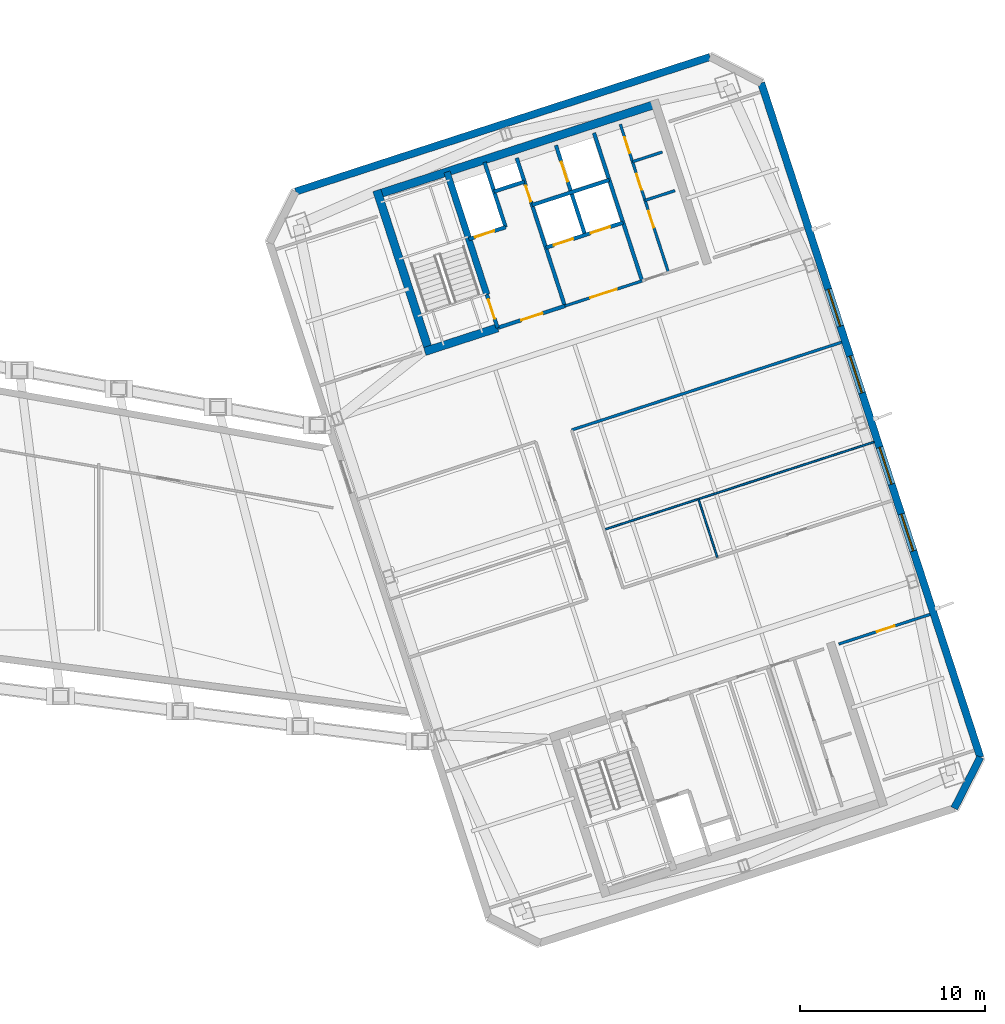
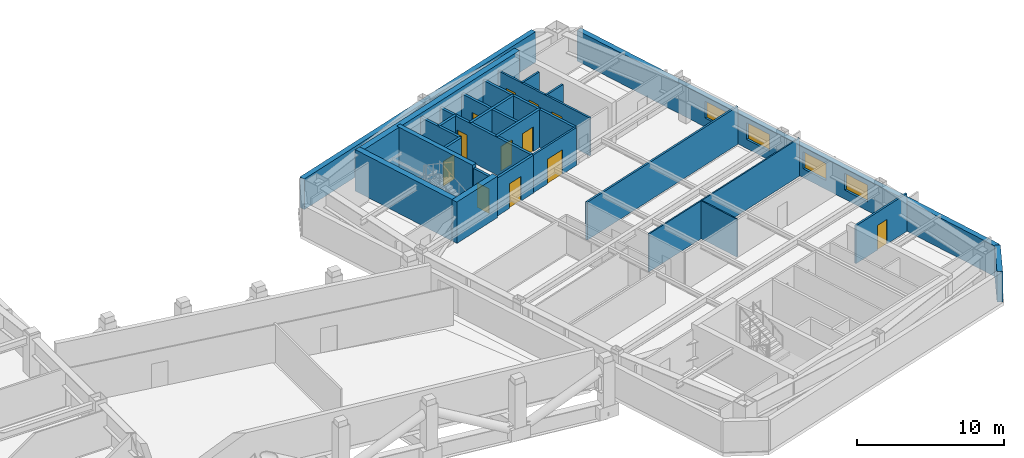
# One storey, part 10 of 19: 25 walls, 12 doors, 4 windows, 16 openings.
"""IFC4 building model written with IfcOpenShell, lengths in metres."""

from ifc_helpers import new_model, si_unit, direction, frame, frame_2d, origin, place, context, subcontext, project, spatial, rectangle, extrude, material, layer, layer_set, type_object, element, fill, save


model = new_model("IFC4")

# Units and contexts
model_context = context("Model", 3, precision=1e-05, world=origin(), true_north=direction((0.0, 1.0)))
body_context = subcontext(model_context, "Body", "Model", "MODEL_VIEW")
ifc_project = project(units=[si_unit("LENGTHUNIT", "METRE"), si_unit("AREAUNIT", "SQUARE_METRE"), si_unit("VOLUMEUNIT", "CUBIC_METRE"), si_unit("PLANEANGLEUNIT", "RADIAN"), si_unit("MASSUNIT", "GRAM", prefix="KILO")], contexts=[model_context])

# Site, building, storey
site_placement = place(None, origin())
site = spatial("IfcSite", under=ifc_project, at=site_placement, CompositionType="ELEMENT")
building_placement = place(site_placement, origin())
building = spatial("IfcBuilding", under=site, at=building_placement, Name="Qiaolan Cultural Towers", CompositionType="ELEMENT")
storey_placement = place(building_placement, frame((0.0, 0.0, 216.199951171875)))
storey = spatial("IfcBuildingStorey", under=building, at=storey_placement, Name="L58", CompositionType="ELEMENT", Elevation=216.199951171875)

# Walls
ifc_material_1 = material(Name="Concrete C50", Category="concrete")
ifc_layer_1 = layer(ifc_material_1, 0.35009765625)
ifc_layer_set_1 = layer_set([ifc_layer_1], Name="Concrete C50")
wall_type_1 = type_object("IfcWallType", Name="WL-CORE-350", PredefinedType="SHEAR", material=ifc_layer_set_1)
wall_1_placement = place(storey_placement, frame((82.513671875, 45.13134765625, 0.0), z_axis=(0.0, 0.0, 1.0), x_axis=(-0.308988790936, 0.951065679686, 0.0)))
element("IfcWall", 1, at=wall_1_placement, inside=storey, type_object=wall_type_1, Name="L58 T2-CN Stair Core Dividing Web", PredefinedType="SHEAR", context=body_context, shape_type="SweptSolid", body=[
    extrude(rectangle(XDim=6.97998046875, YDim=0.35009765625, at=frame_2d((3.489990234375, 0.0))), origin(), (0.0, 0.0, 1.0), 3.449951171875),
])
ifc_material_2 = material(Name="Concrete C50", Category="concrete")
ifc_layer_2 = layer(ifc_material_2, 0.449951171875)
ifc_layer_set_2 = layer_set([ifc_layer_2], Name="Concrete C50")
wall_type_2 = type_object("IfcWallType", Name="WL-CORE-450", PredefinedType="SHEAR", material=ifc_layer_set_2)
wall_2_placement = place(storey_placement, frame((76.414794921875, 50.489013671875, 0.0), z_axis=(0.0, 0.0, 1.0), x_axis=(0.951056810414, 0.309016089169, 0.0)))
element("IfcWall", 2, at=wall_2_placement, inside=storey, type_object=wall_type_2, Name="L58 T2-CN Outer Core Shear Wall", PredefinedType="SHEAR", context=body_context, shape_type="SweptSolid", body=[
    extrude(rectangle(XDim=16.25, YDim=0.449951171875, at=frame_2d((8.125, 0.0))), origin(), (0.0, 0.0, 1.0), 3.449951171875),
])
wall_3_placement = place(storey_placement, frame((79.4423828125, 41.899169921875, 0.0), z_axis=(0.0, 0.0, 1.0), x_axis=(-0.309035778627, 0.951050412717, 0.0)))
element("IfcWall", 3, at=wall_3_placement, inside=storey, type_object=wall_type_2, Name="L58 T2-CN West Core Shear Wall", PredefinedType="SHEAR", context=body_context, shape_type="SweptSolid", body=[
    extrude(rectangle(XDim=9.330078125, YDim=0.449951171875, at=frame_2d((4.6650390625, 0.0))), origin(), (0.0, 0.0, 1.0), 3.449951171875),
])
wall_4_placement = place(storey_placement, frame((79.15869140625, 42.04345703125, 0.0), z_axis=(0.0, 0.0, 1.0), x_axis=(0.951047485828, 0.309044785913, 0.0)))
element("IfcWall", 4, at=wall_4_placement, inside=storey, type_object=wall_type_2, Name="L58 T2-CN Stair Front Shear Wall", PredefinedType="SHEAR", context=body_context, shape_type="SweptSolid", body=[
    extrude(rectangle(XDim=4.14501953125, YDim=0.449951171875, at=frame_2d((2.072509765625, 0.0))), origin(), (0.0, 0.0, 1.0), 3.449951171875),
])
ifc_material_3 = material(Name="Precast Concrete C50 Honed Stone Pier", Category="masonry")
ifc_layer_3 = layer(ifc_material_3, 0.39990234375)
ifc_layer_set_3 = layer_set([ifc_layer_3], Name="Precast Concrete C50 Honed Stone Pier")
wall_type_3 = type_object("IfcWallType", Name="WL-EXT-PIER-400", PredefinedType="SOLIDWALL", material=ifc_layer_set_3)
wall_5_placement = place(storey_placement, frame((72.16455078125, 50.706298828125, 0.0), z_axis=(0.0, 0.0, 1.0), x_axis=(0.951058012937, 0.309012388148, 0.0)))
element("IfcWall", 5, at=wall_5_placement, inside=storey, type_object=wall_type_3, Name="L58 East Tower Precast Pier Facade Wall F3", PredefinedType="SOLIDWALL", context=body_context, shape_type="SweptSolid", body=[
    extrude(rectangle(XDim=23.60009765625, YDim=0.39990234375, at=frame_2d((11.800048828125, 0.0))), origin(), (0.0, 0.0, 1.0), 2.550048828125),
])

# Wall, openings, windows
wall_6_placement = place(storey_placement, frame((97.381591796875, 56.58642578125, 0.0), z_axis=(0.0, 0.0, 1.0), x_axis=(0.309016491071, -0.951056679828, 0.0)))
wall_6 = element("IfcWall", 6, at=wall_6_placement, inside=storey, type_object=wall_type_3, Name="L58 East Tower Precast Pier Facade Wall F5", PredefinedType="SOLIDWALL", context=body_context, shape_type="SweptSolid", body=[
    extrude(rectangle(XDim=38.39990234375, YDim=0.39990234375, at=frame_2d((19.199951171875, 0.0))), origin(), (0.0, 0.0, 1.0), 2.550048828125),
])
opening_1_placement = place(wall_6_placement, frame((24.550048828125, 0.0, 0.75)))
opening_1 = element("IfcOpeningElement", 7, at=opening_1_placement, cuts=wall_6, Name="Opening W-05", PredefinedType="OPENING", context=body_context, shape_type="SweptSolid", body=[
    extrude(rectangle(XDim=2.10009765625, YDim=1.39990234375, at=frame_2d((1.050048828125, 0.699951171875))), frame((0.0, 0.2099609375, 0.0), z_axis=(0.0, -1.0, 0.0), x_axis=(1.0, 0.0, 0.0)), (0.0, 0.0, 1.0), 0.419921875),
])
opening_2_placement = place(wall_6_placement, frame((20.75, 0.0, 0.75)))
opening_2 = element("IfcOpeningElement", 8, at=opening_2_placement, cuts=wall_6, Name="Opening W-05", PredefinedType="OPENING", context=body_context, shape_type="SweptSolid", body=[
    extrude(rectangle(XDim=2.10009765625, YDim=1.39990234375, at=frame_2d((1.050048828125, 0.699951171875))), frame((0.0, 0.2099609375, 0.0), z_axis=(0.0, -1.0, 0.0), x_axis=(1.0, 0.0, 0.0)), (0.0, 0.0, 1.0), 0.419921875),
])
opening_3_placement = place(wall_6_placement, frame((15.550048828125, 0.0, 0.75)))
opening_3 = element("IfcOpeningElement", 9, at=opening_3_placement, cuts=wall_6, Name="Opening W-05", PredefinedType="OPENING", context=body_context, shape_type="SweptSolid", body=[
    extrude(rectangle(XDim=2.10009765625, YDim=1.39990234375, at=frame_2d((1.050048828125, 0.699951171875))), frame((0.0, 0.2099609375, 0.0), z_axis=(0.0, -1.0, 0.0), x_axis=(1.0, 0.0, 0.0)), (0.0, 0.0, 1.0), 0.419921875),
])
opening_4_placement = place(wall_6_placement, frame((11.75, 0.0, 0.75)))
opening_4 = element("IfcOpeningElement", 10, at=opening_4_placement, cuts=wall_6, Name="Opening W-05", PredefinedType="OPENING", context=body_context, shape_type="SweptSolid", body=[
    extrude(rectangle(XDim=2.10009765625, YDim=1.39990234375, at=frame_2d((1.050048828125, 0.699951171875))), frame((0.0, 0.2099609375, 0.0), z_axis=(0.0, -1.0, 0.0), x_axis=(1.0, 0.0, 0.0)), (0.0, 0.0, 1.0), 0.419921875),
])
ifc_material_4 = material(Name="Thermally Broken Aluminium Triple Low-E Glazing", Category="aluminium")
window_type = type_object("IfcWindowType", Name="WN-CHIC-2100", PartitioningType="SINGLE_PANEL", PredefinedType="WINDOW", material=ifc_material_4)
window_1_placement = place(opening_1_placement, origin())
window_1 = element("IfcWindow", 11, at=window_1_placement, inside=storey, type_object=window_type, Name="L58 T2 E Chicago Bay Window 1", OverallHeight=1.39990234375, OverallWidth=2.10009765625, PartitioningType="TRIPLE_PANEL_VERTICAL", PredefinedType="WINDOW", context=body_context, shape_type="SweptSolid", body=[
    extrude(rectangle(XDim=2.10009765625, YDim=1.39990234375, at=frame_2d((1.050048828125, 0.699951171875))), frame((0.0, 0.030029296875, 0.0), z_axis=(0.0, -1.0, 0.0), x_axis=(1.0, 0.0, 0.0)), (0.0, 0.0, 1.0), 0.06005859375),
])
fill(opening_1, window_1)
window_2_placement = place(opening_2_placement, origin())
window_2 = element("IfcWindow", 12, at=window_2_placement, inside=storey, type_object=window_type, Name="L58 T2 E Chicago Bay Window 2", OverallHeight=1.39990234375, OverallWidth=2.10009765625, PartitioningType="TRIPLE_PANEL_VERTICAL", PredefinedType="WINDOW", context=body_context, shape_type="SweptSolid", body=[
    extrude(rectangle(XDim=2.10009765625, YDim=1.39990234375, at=frame_2d((1.050048828125, 0.699951171875))), frame((0.0, 0.030029296875, 0.0), z_axis=(0.0, -1.0, 0.0), x_axis=(1.0, 0.0, 0.0)), (0.0, 0.0, 1.0), 0.06005859375),
])
fill(opening_2, window_2)
window_3_placement = place(opening_3_placement, origin())
window_3 = element("IfcWindow", 13, at=window_3_placement, inside=storey, type_object=window_type, Name="L58 T2 E Chicago Bay Window 3", OverallHeight=1.39990234375, OverallWidth=2.10009765625, PartitioningType="TRIPLE_PANEL_VERTICAL", PredefinedType="WINDOW", context=body_context, shape_type="SweptSolid", body=[
    extrude(rectangle(XDim=2.10009765625, YDim=1.39990234375, at=frame_2d((1.050048828125, 0.699951171875))), frame((0.0, 0.030029296875, 0.0), z_axis=(0.0, -1.0, 0.0), x_axis=(1.0, 0.0, 0.0)), (0.0, 0.0, 1.0), 0.06005859375),
])
fill(opening_3, window_3)
window_4_placement = place(opening_4_placement, origin())
window_4 = element("IfcWindow", 14, at=window_4_placement, inside=storey, type_object=window_type, Name="L58 T2 E Chicago Bay Window 4", OverallHeight=1.39990234375, OverallWidth=2.10009765625, PartitioningType="TRIPLE_PANEL_VERTICAL", PredefinedType="WINDOW", context=body_context, shape_type="SweptSolid", body=[
    extrude(rectangle(XDim=2.10009765625, YDim=1.39990234375, at=frame_2d((1.050048828125, 0.699951171875))), frame((0.0, 0.030029296875, 0.0), z_axis=(0.0, -1.0, 0.0), x_axis=(1.0, 0.0, 0.0)), (0.0, 0.0, 1.0), 0.06005859375),
])
fill(opening_4, window_4)

# Wall
wall_7_placement = place(storey_placement, frame((109.247802734375, 20.06591796875, 0.0), z_axis=(0.0, 0.0, 1.0), x_axis=(-0.453949291228, -0.891027519774, 0.0)))
element("IfcWall", 15, at=wall_7_placement, inside=storey, type_object=wall_type_3, Name="L58 East Tower Precast Pier Facade Wall F6", PredefinedType="SOLIDWALL", context=body_context, shape_type="SweptSolid", body=[
    extrude(rectangle(XDim=3.111328125, YDim=0.39990234375, at=frame_2d((1.5556640625, 0.0))), origin(), (0.0, 0.0, 1.0), 2.550048828125),
])

# Wall, opening, door
ifc_material_5 = material(Name="Concrete C35 Fire Wall", Category="concrete")
ifc_layer_4 = layer(ifc_material_5, 0.199951171875)
ifc_layer_set_4 = layer_set([ifc_layer_4], Name="Concrete C35 Fire Wall")
wall_type_4 = type_object("IfcWallType", Name="WL-FIRE-200", PredefinedType="PARTITIONING", material=ifc_layer_set_4)
wall_8_placement = place(storey_placement, frame((83.100830078125, 43.324462890625, 0.0), z_axis=(0.0, 0.0, 1.0), x_axis=(-0.309048298632, 0.951046344356, 0.0)))
wall_8 = element("IfcWall", 16, at=wall_8_placement, inside=storey, type_object=wall_type_4, Name="L58 T2-CN Smokeproof Stair Entry Wall", PredefinedType="PARTITIONING", context=body_context, shape_type="SweptSolid", body=[
    extrude(rectangle(XDim=1.89990234375, YDim=0.199951171875, at=frame_2d((0.949951171875, 0.0))), origin(), (0.0, 0.0, 1.0), 3.155029296875),
])
opening_5_placement = place(wall_8_placement, frame((0.52001953125, 0.0, 0.0)))
opening_5 = element("IfcOpeningElement", 17, at=opening_5_placement, cuts=wall_8, Name="Opening FD-04", PredefinedType="OPENING", context=body_context, shape_type="SweptSolid", body=[
    extrude(rectangle(XDim=1.10009765625, YDim=2.050048828125, at=frame_2d((0.550048828125, 1.02490234375))), frame((0.0, 0.10986328125, 0.0), z_axis=(0.0, -1.0, 0.0), x_axis=(1.0, 0.0, 0.0)), (0.0, 0.0, 1.0), 0.219970703125),
])
ifc_material_6 = material(Name="Galvanized Steel Command Fire Door", Category="steel")
door_type_1 = type_object("IfcDoorType", Name="DR-FD90-1100", OperationType="NOTDEFINED", PredefinedType="DOOR", material=ifc_material_6)
door_1_placement = place(opening_5_placement, origin())
door_1 = element("IfcDoor", 18, at=door_1_placement, inside=storey, type_object=door_type_1, Name="L58 ST-E2 Smokeproof Stair Fire Door", OperationType="SINGLE_SWING_LEFT", OverallHeight=2.050048828125, OverallWidth=1.10009765625, PredefinedType="DOOR", context=body_context, shape_type="SweptSolid", body=[
    extrude(rectangle(XDim=1.10009765625, YDim=2.050048828125, at=frame_2d((0.550048828125, 1.02490234375))), frame((0.0, 0.02490234375, 0.0), z_axis=(0.0, -1.0, 0.0), x_axis=(1.0, 0.0, 0.0)), (0.0, 0.0, 1.0), 0.050048828125),
])
fill(opening_5, door_1)

wall_9_placement = place(storey_placement, frame((86.743408203125, 44.508056640625, 0.0), z_axis=(0.0, 0.0, 1.0), x_axis=(-0.309016001439, 0.951056838919, 0.0)))
wall_9 = element("IfcWall", 19, at=wall_9_placement, inside=storey, type_object=wall_type_4, Name="L58 T2-CN Firefighting Zone Wall", PredefinedType="PARTITIONING", context=body_context, shape_type="SweptSolid", body=[
    extrude(rectangle(XDim=8.429931640625, YDim=0.199951171875, at=frame_2d((4.21484375, 0.0))), origin(), (0.0, 0.0, 1.0), 3.155029296875),
])
opening_6_placement = place(wall_9_placement, frame((5.949951171875, 0.0, 0.0)))
opening_6 = element("IfcOpeningElement", 20, at=opening_6_placement, cuts=wall_9, Name="Opening ID-06", PredefinedType="OPENING", context=body_context, shape_type="SweptSolid", body=[
    extrude(rectangle(XDim=0.89990234375, YDim=2.050048828125, at=frame_2d((0.449951171875, 1.02490234375))), frame((0.0, 0.10986328125, 0.0), z_axis=(0.0, -1.0, 0.0), x_axis=(1.0, 0.0, 0.0)), (0.0, 0.0, 1.0), 0.219970703125),
])
ifc_material_7 = material(Name="Fire-Rated Laminate Core Service Door", Category="timber")
door_type_2 = type_object("IfcDoorType", Name="DR-INT-900", OperationType="NOTDEFINED", PredefinedType="DOOR", material=ifc_material_7)
door_2_placement = place(opening_6_placement, origin())
door_2 = element("IfcDoor", 21, at=door_2_placement, inside=storey, type_object=door_type_2, Name="L58 Sky Shuttle Transfer Lobby Door", OperationType="SINGLE_SWING_LEFT", OverallHeight=2.050048828125, OverallWidth=0.89990234375, PredefinedType="DOOR", context=body_context, shape_type="SweptSolid", body=[
    extrude(rectangle(XDim=0.89990234375, YDim=2.050048828125, at=frame_2d((0.449951171875, 1.02490234375))), frame((0.0, 0.02490234375, 0.0), z_axis=(0.0, -1.0, 0.0), x_axis=(1.0, 0.0, 0.0)), (0.0, 0.0, 1.0), 0.050048828125),
])
fill(opening_6, door_2)

wall_10_placement = place(storey_placement, frame((83.100830078125, 43.324462890625, 0.0), z_axis=(0.0, 0.0, 1.0), x_axis=(0.951052804469, 0.309028417967, 0.0)))
wall_10 = element("IfcWall", 22, at=wall_10_placement, inside=storey, type_object=wall_type_4, Name="L58 T2-CN Firefighting Lobby Front Wall", PredefinedType="PARTITIONING", context=body_context, shape_type="SweptSolid", body=[
    extrude(rectangle(XDim=3.830078125, YDim=0.199951171875, at=frame_2d((1.9150390625, 0.0))), origin(), (0.0, 0.0, 1.0), 3.155029296875),
])
opening_7_placement = place(wall_10_placement, frame((1.35009765625, 0.0, 0.0)))
opening_7 = element("IfcOpeningElement", 23, at=opening_7_placement, cuts=wall_10, Name="Opening FD-03", PredefinedType="OPENING", context=body_context, shape_type="SweptSolid", body=[
    extrude(rectangle(XDim=1.199951171875, YDim=2.050048828125, at=frame_2d((0.60009765625, 1.02490234375))), frame((0.0, 0.10986328125, 0.0), z_axis=(0.0, -1.0, 0.0), x_axis=(1.0, 0.0, 0.0)), (0.0, 0.0, 1.0), 0.219970703125),
])
ifc_material_8 = material(Name="Galvanized Steel Smokeproof Lobby Fire Door", Category="steel")
door_type_3 = type_object("IfcDoorType", Name="DR-FD90-1200", OperationType="NOTDEFINED", PredefinedType="DOOR", material=ifc_material_8)
door_3_placement = place(opening_7_placement, origin())
door_3 = element("IfcDoor", 24, at=door_3_placement, inside=storey, type_object=door_type_3, Name="L58 FFL-E2 Firefighting Lobby Fire Door", OperationType="SINGLE_SWING_LEFT", OverallHeight=2.050048828125, OverallWidth=1.199951171875, PredefinedType="DOOR", context=body_context, shape_type="SweptSolid", body=[
    extrude(rectangle(XDim=1.199951171875, YDim=2.050048828125, at=frame_2d((0.60009765625, 1.02490234375))), frame((0.0, 0.02490234375, 0.0), z_axis=(0.0, -1.0, 0.0), x_axis=(1.0, 0.0, 0.0)), (0.0, 0.0, 1.0), 0.050048828125),
])
fill(opening_7, door_3)

wall_11_placement = place(storey_placement, frame((81.540283203125, 48.127197265625, 0.0), z_axis=(0.0, 0.0, 1.0), x_axis=(0.951062257173, 0.308999325213, 0.0)))
wall_11 = element("IfcWall", 25, at=wall_11_placement, inside=storey, type_object=wall_type_4, Name="L58 T2-CN Firefighting Shaft Front Wall", PredefinedType="PARTITIONING", context=body_context, shape_type="SweptSolid", body=[
    extrude(rectangle(XDim=2.10009765625, YDim=0.199951171875, at=frame_2d((1.050048828125, 0.0))), origin(), (0.0, 0.0, 1.0), 3.155029296875),
])
opening_8_placement = place(wall_11_placement, frame((0.35009765625, 0.0, 0.0)))
opening_8 = element("IfcOpeningElement", 26, at=opening_8_placement, cuts=wall_11, Name="Opening LD-01", PredefinedType="OPENING", context=body_context, shape_type="SweptSolid", body=[
    extrude(rectangle(XDim=1.10009765625, YDim=2.050048828125, at=frame_2d((0.550048828125, 1.02490234375))), frame((0.0, 0.10986328125, 0.0), z_axis=(0.0, -1.0, 0.0), x_axis=(1.0, 0.0, 0.0)), (0.0, 0.0, 1.0), 0.219970703125),
])
ifc_material_9 = material(Name="Brushed Stainless Steel S30408 Centre-Parting Lift Landing Door", Category="steel")
door_type_4 = type_object("IfcDoorType", Name="DR-LIFT-1100", OperationType="NOTDEFINED", PredefinedType="DOOR", material=ifc_material_9)
door_4_placement = place(opening_8_placement, origin())
door_4 = element("IfcDoor", 27, at=door_4_placement, inside=storey, type_object=door_type_4, Name="L58 FFL-E2 Firefighting Lift Landing Door", OperationType="DOUBLE_DOOR_SLIDING", OverallHeight=2.050048828125, OverallWidth=1.10009765625, PredefinedType="DOOR", context=body_context, shape_type="SweptSolid", body=[
    extrude(rectangle(XDim=1.10009765625, YDim=2.050048828125, at=frame_2d((0.550048828125, 1.02490234375))), frame((0.0, 0.02490234375, 0.0), z_axis=(0.0, -1.0, 0.0), x_axis=(1.0, 0.0, 0.0)), (0.0, 0.0, 1.0), 0.050048828125),
])
fill(opening_8, door_4)

# Walls
wall_12_placement = place(storey_placement, frame((83.53759765625, 48.776123046875, 0.0), z_axis=(0.0, 0.0, 1.0), x_axis=(-0.3089935693, 0.951064127245, 0.0)))
element("IfcWall", 28, at=wall_12_placement, inside=storey, type_object=wall_type_4, Name="L58 T2-CN Firefighting Hoistway East Wall", PredefinedType="PARTITIONING", context=body_context, shape_type="SweptSolid", body=[
    extrude(rectangle(XDim=3.7001953125, YDim=0.199951171875, at=frame_2d((1.85009765625, 0.0))), origin(), (0.0, 0.0, 1.0), 3.155029296875),
])
wall_13_placement = place(storey_placement, frame((82.910400390625, 50.706787109375, 0.0), z_axis=(0.0, 0.0, 1.0), x_axis=(0.951041328149, 0.309063734775, 0.0)))
element("IfcWall", 29, at=wall_13_placement, inside=storey, type_object=wall_type_4, Name="L58 T2-CN Pressurization Shaft Front Wall", PredefinedType="PARTITIONING", context=body_context, shape_type="SweptSolid", body=[
    extrude(rectangle(XDim=1.72998046875, YDim=0.199951171875, at=frame_2d((0.864990234375, 0.0))), origin(), (0.0, 0.0, 1.0), 3.155029296875),
])
wall_14_placement = place(storey_placement, frame((90.92822265625, 45.86767578125, 0.0), z_axis=(0.0, 0.0, 1.0), x_axis=(-0.309042196757, 0.951048327176, 0.0)))
element("IfcWall", 30, at=wall_14_placement, inside=storey, type_object=wall_type_4, Name="L58 T2-CN Lift Core East Wall", PredefinedType="PARTITIONING", context=body_context, shape_type="SweptSolid", body=[
    extrude(rectangle(XDim=8.429931640625, YDim=0.199951171875, at=frame_2d((4.21484375, 0.0))), origin(), (0.0, 0.0, 1.0), 3.155029296875),
])

# Wall, openings, doors
wall_15_placement = place(storey_placement, frame((85.717529296875, 47.66552734375, 0.0), z_axis=(0.0, 0.0, 1.0), x_axis=(0.951058531764, 0.30901079133, 0.0)))
wall_15 = element("IfcWall", 31, at=wall_15_placement, inside=storey, type_object=wall_type_4, Name="L58 T2-CN Passenger Lift Shaft Front Wall", PredefinedType="PARTITIONING", context=body_context, shape_type="SweptSolid", body=[
    extrude(rectangle(XDim=4.39990234375, YDim=0.199951171875, at=frame_2d((2.199951171875, 0.0))), origin(), (0.0, 0.0, 1.0), 3.155029296875),
])
opening_9_placement = place(wall_15_placement, frame((0.449951171875, 0.0, 0.0)))
opening_9 = element("IfcOpeningElement", 32, at=opening_9_placement, cuts=wall_15, Name="Opening LD-01", PredefinedType="OPENING", context=body_context, shape_type="SweptSolid", body=[
    extrude(rectangle(XDim=1.10009765625, YDim=2.050048828125, at=frame_2d((0.550048828125, 1.02490234375))), frame((0.0, 0.10986328125, 0.0), z_axis=(0.0, -1.0, 0.0), x_axis=(1.0, 0.0, 0.0)), (0.0, 0.0, 1.0), 0.219970703125),
])
opening_10_placement = place(wall_15_placement, frame((2.550048828125, 0.0, 0.0)))
opening_10 = element("IfcOpeningElement", 33, at=opening_10_placement, cuts=wall_15, Name="Opening LD-01", PredefinedType="OPENING", context=body_context, shape_type="SweptSolid", body=[
    extrude(rectangle(XDim=1.10009765625, YDim=2.050048828125, at=frame_2d((0.550048828125, 1.02490234375))), frame((0.0, 0.10986328125, 0.0), z_axis=(0.0, -1.0, 0.0), x_axis=(1.0, 0.0, 0.0)), (0.0, 0.0, 1.0), 0.219970703125),
])
door_5_placement = place(opening_9_placement, origin())
door_5 = element("IfcDoor", 34, at=door_5_placement, inside=storey, type_object=door_type_4, Name="L58 Passenger Lift 1 Landing Door", OperationType="DOUBLE_DOOR_SLIDING", OverallHeight=2.050048828125, OverallWidth=1.10009765625, PredefinedType="DOOR", context=body_context, shape_type="SweptSolid", body=[
    extrude(rectangle(XDim=1.10009765625, YDim=2.050048828125, at=frame_2d((0.550048828125, 1.02490234375))), frame((0.0, 0.02490234375, 0.0), z_axis=(0.0, -1.0, 0.0), x_axis=(1.0, 0.0, 0.0)), (0.0, 0.0, 1.0), 0.050048828125),
])
fill(opening_9, door_5)
door_6_placement = place(opening_10_placement, origin())
door_6 = element("IfcDoor", 35, at=door_6_placement, inside=storey, type_object=door_type_4, Name="L58 Passenger Lift 2 Landing Door", OperationType="DOUBLE_DOOR_SLIDING", OverallHeight=2.050048828125, OverallWidth=1.10009765625, PredefinedType="DOOR", context=body_context, shape_type="SweptSolid", body=[
    extrude(rectangle(XDim=1.10009765625, YDim=2.050048828125, at=frame_2d((0.550048828125, 1.02490234375))), frame((0.0, 0.02490234375, 0.0), z_axis=(0.0, -1.0, 0.0), x_axis=(1.0, 0.0, 0.0)), (0.0, 0.0, 1.0), 0.050048828125),
])
fill(opening_10, door_6)

# Wall, opening, door
wall_16_placement = place(storey_placement, frame((87.83837890625, 48.3544921875, 0.0), z_axis=(0.0, 0.0, 1.0), x_axis=(-0.3090093719, 0.951058992953, 0.0)))
wall_16 = element("IfcWall", 36, at=wall_16_placement, inside=storey, type_object=wall_type_4, Name="L58 T2-CN Lift Shaft Divider Wall", PredefinedType="PARTITIONING", context=body_context, shape_type="SweptSolid", body=[
    extrude(rectangle(XDim=5.110107421875, YDim=0.199951171875, at=frame_2d((2.55517578125, 0.0))), origin(), (0.0, 0.0, 1.0), 3.155029296875),
])
opening_11_placement = place(wall_16_placement, frame((3.050048828125, 0.0, 0.0)))
opening_11 = element("IfcOpeningElement", 37, at=opening_11_placement, cuts=wall_16, Name="Opening LD-01", PredefinedType="OPENING", context=body_context, shape_type="SweptSolid", body=[
    extrude(rectangle(XDim=1.10009765625, YDim=2.050048828125, at=frame_2d((0.550048828125, 1.02490234375))), frame((0.0, 0.10986328125, 0.0), z_axis=(0.0, -1.0, 0.0), x_axis=(1.0, 0.0, 0.0)), (0.0, 0.0, 1.0), 0.219970703125),
])
door_7_placement = place(opening_11_placement, origin())
door_7 = element("IfcDoor", 38, at=door_7_placement, inside=storey, type_object=door_type_4, Name="L58 Sky Shuttle Lift Transfer Landing Door", OperationType="DOUBLE_DOOR_SLIDING", OverallHeight=2.050048828125, OverallWidth=1.10009765625, PredefinedType="DOOR", context=body_context, shape_type="SweptSolid", body=[
    extrude(rectangle(XDim=1.10009765625, YDim=2.050048828125, at=frame_2d((0.550048828125, 1.02490234375))), frame((0.0, 0.02490234375, 0.0), z_axis=(0.0, -1.0, 0.0), x_axis=(1.0, 0.0, 0.0)), (0.0, 0.0, 1.0), 0.050048828125),
])
fill(opening_11, door_7)

# Walls
wall_17_placement = place(storey_placement, frame((84.966552734375, 49.9765625, 0.0), z_axis=(0.0, 0.0, 1.0), x_axis=(0.951063829732, 0.308994485023, 0.0)))
element("IfcWall", 39, at=wall_17_placement, inside=storey, type_object=wall_type_4, Name="L58 T2-CN Passenger Lift Shaft Back Wall", PredefinedType="PARTITIONING", context=body_context, shape_type="SweptSolid", body=[
    extrude(rectangle(XDim=4.400146484375, YDim=0.199951171875, at=frame_2d((2.2001953125, 0.0))), origin(), (0.0, 0.0, 1.0), 3.155029296875),
])
ifc_material_10 = material(Name="Acoustic Double-Glazed Partition Frame", Category="glass")
ifc_layer_5 = layer(ifc_material_10, 0.10009765625)
ifc_layer_set_5 = layer_set([ifc_layer_5], Name="Acoustic Double-Glazed Partition Frame")
wall_type_5 = type_object("IfcWallType", Name="WL-GLAZED-100", PredefinedType="MOVABLE", material=ifc_layer_set_5)
wall_18_placement = place(storey_placement, frame((95.004638671875, 30.89453125, 0.0), z_axis=(0.0, 0.0, 1.0), x_axis=(-0.30900459381, 0.951060545394, 0.0)))
element("IfcWall", 40, at=wall_18_placement, inside=storey, type_object=wall_type_5, Name="L58 T2 Interior Wall", PredefinedType="MOVABLE", context=body_context, shape_type="SweptSolid", body=[
    extrude(rectangle(XDim=3.320068359375, YDim=0.10009765625, at=frame_2d((1.66015625, 0.0))), origin(), (0.0, 0.0, 1.0), 3.155029296875),
])
wall_19_placement = place(storey_placement, frame((88.86669921875, 32.39111328125, 0.0), z_axis=(0.0, 0.0, 1.0), x_axis=(0.951059970956, 0.309006361819, 0.0)))
element("IfcWall", 41, at=wall_19_placement, inside=storey, type_object=wall_type_5, Name="L58 T2 Interior Wall", PredefinedType="MOVABLE", context=body_context, shape_type="SweptSolid", body=[
    extrude(rectangle(XDim=15.375, YDim=0.10009765625, at=frame_2d((7.6875, 0.0))), origin(), (0.0, 0.0, 1.0), 3.155029296875),
])

# Wall, opening, door
ifc_material_11 = material(Name="Autoclaved Aerated Concrete Block B06", Category="concrete")
ifc_layer_6 = layer(ifc_material_11, 0.14990234375)
ifc_layer_set_6 = layer_set([ifc_layer_6], Name="Autoclaved Aerated Concrete Block B06")
wall_type_6 = type_object("IfcWallType", Name="WL-PART-150", PredefinedType="PARTITIONING", material=ifc_layer_set_6)
wall_20_placement = place(storey_placement, frame((86.743408203125, 44.508056640625, 0.0), z_axis=(0.0, 0.0, 1.0), x_axis=(0.951063829732, 0.308994485023, 0.0)))
wall_20 = element("IfcWall", 42, at=wall_20_placement, inside=storey, type_object=wall_type_6, Name="L58 T2-CN Passenger Lift Lobby Front Wall", PredefinedType="PARTITIONING", context=body_context, shape_type="SweptSolid", body=[
    extrude(rectangle(XDim=4.400146484375, YDim=0.14990234375, at=frame_2d((2.2001953125, 0.0))), origin(), (0.0, 0.0, 1.0), 3.155029296875),
])
opening_12_placement = place(wall_20_placement, frame((1.449951171875, 0.0, 0.0)))
opening_12 = element("IfcOpeningElement", 43, at=opening_12_placement, cuts=wall_20, Name="Opening FD-05", PredefinedType="OPENING", context=body_context, shape_type="SweptSolid", body=[
    extrude(rectangle(XDim=1.5, YDim=2.050048828125, at=frame_2d((0.75, 1.02490234375))), frame((0.0, 0.0849609375, 0.0), z_axis=(0.0, -1.0, 0.0), x_axis=(1.0, 0.0, 0.0)), (0.0, 0.0, 1.0), 0.169921875),
])
ifc_material_12 = material(Name="Painted Steel Lift Lobby Fire Door", Category="steel")
door_type_5 = type_object("IfcDoorType", Name="DR-FD60-1500", OperationType="NOTDEFINED", PredefinedType="DOOR", material=ifc_material_12)
door_8_placement = place(opening_12_placement, origin())
door_8 = element("IfcDoor", 44, at=door_8_placement, inside=storey, type_object=door_type_5, Name="L58 Passenger Lift Lobby Entrance", OperationType="SINGLE_SWING_LEFT", OverallHeight=2.050048828125, OverallWidth=1.5, PredefinedType="DOOR", context=body_context, shape_type="SweptSolid", body=[
    extrude(rectangle(XDim=1.5, YDim=2.050048828125, at=frame_2d((0.75, 1.02490234375))), frame((0.0, 0.02490234375, 0.0), z_axis=(0.0, -1.0, 0.0), x_axis=(1.0, 0.0, 0.0)), (0.0, 0.0, 1.0), 0.050048828125),
])
fill(opening_12, door_8)

# Wall, openings, doors
wall_21_placement = place(storey_placement, frame((92.354736328125, 46.3310546875, 0.0), z_axis=(0.0, 0.0, 1.0), x_axis=(-0.309007490203, 0.951059604335, 0.0)))
wall_21 = element("IfcWall", 45, at=wall_21_placement, inside=storey, type_object=wall_type_6, Name="L58 T2-CN Sanitary Vestibule Wall", PredefinedType="PARTITIONING", context=body_context, shape_type="SweptSolid", body=[
    extrude(rectangle(XDim=8.43017578125, YDim=0.14990234375, at=frame_2d((4.215087890625, 0.0))), origin(), (0.0, 0.0, 1.0), 3.155029296875),
])
opening_13_placement = place(wall_21_placement, frame((2.550048828125, 0.0, 0.0)))
opening_13 = element("IfcOpeningElement", 46, at=opening_13_placement, cuts=wall_21, Name="Opening ID-05", PredefinedType="OPENING", context=body_context, shape_type="SweptSolid", body=[
    extrude(rectangle(XDim=0.949951171875, YDim=2.050048828125, at=frame_2d((0.47509765625, 1.02490234375))), frame((0.0, 0.0849609375, 0.0), z_axis=(0.0, -1.0, 0.0), x_axis=(1.0, 0.0, 0.0)), (0.0, 0.0, 1.0), 0.169921875),
])
opening_14_placement = place(wall_21_placement, frame((4.699951171875, 0.0, 0.0)))
opening_14 = element("IfcOpeningElement", 47, at=opening_14_placement, cuts=wall_21, Name="Opening ID-06", PredefinedType="OPENING", context=body_context, shape_type="SweptSolid", body=[
    extrude(rectangle(XDim=0.89990234375, YDim=2.050048828125, at=frame_2d((0.449951171875, 1.02490234375))), frame((0.0, 0.0849609375, 0.0), z_axis=(0.0, -1.0, 0.0), x_axis=(1.0, 0.0, 0.0)), (0.0, 0.0, 1.0), 0.169921875),
])
opening_15_placement = place(wall_21_placement, frame((6.800048828125, 0.0, 0.0)))
opening_15 = element("IfcOpeningElement", 48, at=opening_15_placement, cuts=wall_21, Name="Opening ID-06", PredefinedType="OPENING", context=body_context, shape_type="SweptSolid", body=[
    extrude(rectangle(XDim=0.89990234375, YDim=2.050048828125, at=frame_2d((0.449951171875, 1.02490234375))), frame((0.0, 0.0849609375, 0.0), z_axis=(0.0, -1.0, 0.0), x_axis=(1.0, 0.0, 0.0)), (0.0, 0.0, 1.0), 0.169921875),
])
door_9_placement = place(opening_14_placement, origin())
door_9 = element("IfcDoor", 49, at=door_9_placement, inside=storey, type_object=door_type_2, Name="L58 Men Washroom Door", OperationType="SINGLE_SWING_LEFT", OverallHeight=2.050048828125, OverallWidth=0.89990234375, PredefinedType="DOOR", context=body_context, shape_type="SweptSolid", body=[
    extrude(rectangle(XDim=0.89990234375, YDim=2.050048828125, at=frame_2d((0.449951171875, 1.02490234375))), frame((0.0, 0.02490234375, 0.0), z_axis=(0.0, -1.0, 0.0), x_axis=(1.0, 0.0, 0.0)), (0.0, 0.0, 1.0), 0.050048828125),
])
fill(opening_14, door_9)
door_10_placement = place(opening_15_placement, origin())
door_10 = element("IfcDoor", 50, at=door_10_placement, inside=storey, type_object=door_type_2, Name="L58 Women Washroom Door", OperationType="SINGLE_SWING_RIGHT", OverallHeight=2.050048828125, OverallWidth=0.89990234375, PredefinedType="DOOR", context=body_context, shape_type="SweptSolid", body=[
    extrude(rectangle(XDim=0.89990234375, YDim=2.050048828125, at=frame_2d((0.449951171875, 1.02490234375))), frame((0.0, 0.02490234375, 0.0), z_axis=(0.0, -1.0, 0.0), x_axis=(1.0, 0.0, 0.0)), (0.0, 0.0, 1.0), 0.050048828125),
])
fill(opening_15, door_10)
ifc_material_13 = material(Name="Fire-Rated Laminate Accessible Core Door", Category="timber")
door_type_6 = type_object("IfcDoorType", Name="DR-INT-950", OperationType="NOTDEFINED", PredefinedType="DOOR", material=ifc_material_13)
door_11_placement = place(opening_13_placement, origin())
door_11 = element("IfcDoor", 51, at=door_11_placement, inside=storey, type_object=door_type_6, Name="L58 Accessible Family Washroom Door", OperationType="SINGLE_SWING_LEFT", OverallHeight=2.050048828125, OverallWidth=0.949951171875, PredefinedType="DOOR", context=body_context, shape_type="SweptSolid", body=[
    extrude(rectangle(XDim=0.949951171875, YDim=2.050048828125, at=frame_2d((0.47509765625, 1.02490234375))), frame((0.0, 0.02490234375, 0.0), z_axis=(0.0, -1.0, 0.0), x_axis=(1.0, 0.0, 0.0)), (0.0, 0.0, 1.0), 0.050048828125),
])
fill(opening_13, door_11)

# Walls
wall_22_placement = place(storey_placement, frame((91.087646484375, 50.23046875, 0.0), z_axis=(0.0, 0.0, 1.0), x_axis=(0.951054116971, 0.309024378638, 0.0)))
element("IfcWall", 52, at=wall_22_placement, inside=storey, type_object=wall_type_6, Name="L58 T2-CN Restroom Split Wall 1", PredefinedType="PARTITIONING", context=body_context, shape_type="SweptSolid", body=[
    extrude(rectangle(XDim=1.7001953125, YDim=0.14990234375, at=frame_2d((0.85009765625, 0.0))), origin(), (0.0, 0.0, 1.0), 3.155029296875),
])
wall_23_placement = place(storey_placement, frame((90.407958984375, 52.32275390625, 0.0), z_axis=(0.0, 0.0, 1.0), x_axis=(0.951040401051, 0.309066587596, 0.0)))
element("IfcWall", 53, at=wall_23_placement, inside=storey, type_object=wall_type_6, Name="L58 T2-CN Restroom Split Wall 2", PredefinedType="PARTITIONING", context=body_context, shape_type="SweptSolid", body=[
    extrude(rectangle(XDim=1.699951171875, YDim=0.14990234375, at=frame_2d((0.85009765625, 0.0))), origin(), (0.0, 0.0, 1.0), 3.155029296875),
])

# Wall, opening, door
wall_24_placement = place(storey_placement, frame((101.578369140625, 26.196044921875, 0.0), z_axis=(0.0, 0.0, 1.0), x_axis=(0.951064427824, 0.308992644131, 0.0)))
wall_24 = element("IfcWall", 54, at=wall_24_placement, inside=storey, type_object=wall_type_6, Name="L58 T2 Flank Front FLK-SE", PredefinedType="PARTITIONING", context=body_context, shape_type="SweptSolid", body=[
    extrude(rectangle(XDim=5.19970703125, YDim=0.14990234375, at=frame_2d((2.599853515625, 0.0))), origin(), (0.0, 0.0, 1.0), 3.155029296875),
])
opening_16_placement = place(wall_24_placement, frame((2.18408203125, 0.0, 0.0)))
opening_16 = element("IfcOpeningElement", 55, at=opening_16_placement, cuts=wall_24, Name="Opening ID-04", PredefinedType="OPENING", context=body_context, shape_type="SweptSolid", body=[
    extrude(rectangle(XDim=1.0, YDim=2.050048828125, at=frame_2d((0.5, 1.02490234375))), frame((0.0, 0.0849609375, 0.0), z_axis=(0.0, -1.0, 0.0), x_axis=(1.0, 0.0, 0.0)), (0.0, 0.0, 1.0), 0.169921875),
])
ifc_material_14 = material(Name="Oak Veneer Acoustic Office Door", Category="timber")
door_type_7 = type_object("IfcDoorType", Name="DR-INT-1000", OperationType="NOTDEFINED", PredefinedType="DOOR", material=ifc_material_14)
door_12_placement = place(opening_16_placement, origin())
door_12 = element("IfcDoor", 56, at=door_12_placement, inside=storey, type_object=door_type_7, Name="L58 T2 Corner Studio Door", OperationType="SINGLE_SWING_LEFT", OverallHeight=2.050048828125, OverallWidth=1.0, PredefinedType="DOOR", context=body_context, shape_type="SweptSolid", body=[
    extrude(rectangle(XDim=1.0, YDim=2.050048828125, at=frame_2d((0.5, 1.02490234375))), frame((0.0, 0.02490234375, 0.0), z_axis=(0.0, -1.0, 0.0), x_axis=(1.0, 0.0, 0.0)), (0.0, 0.0, 1.0), 0.050048828125),
])
fill(opening_16, door_12)

# Wall
wall_25_placement = place(storey_placement, frame((87.111572265625, 37.79296875, 0.0), z_axis=(0.0, 0.0, 1.0), x_axis=(0.9510537879, 0.309025391387, 0.0)))
element("IfcWall", 57, at=wall_25_placement, inside=storey, type_object=wall_type_6, Name="L58 T2 North Foyer East Wall", PredefinedType="PARTITIONING", context=body_context, shape_type="SweptSolid", body=[
    extrude(rectangle(XDim=15.374755859375, YDim=0.14990234375, at=frame_2d((7.6875, 0.0))), origin(), (0.0, 0.0, 1.0), 3.155029296875),
])

save(model, "model.ifc")
